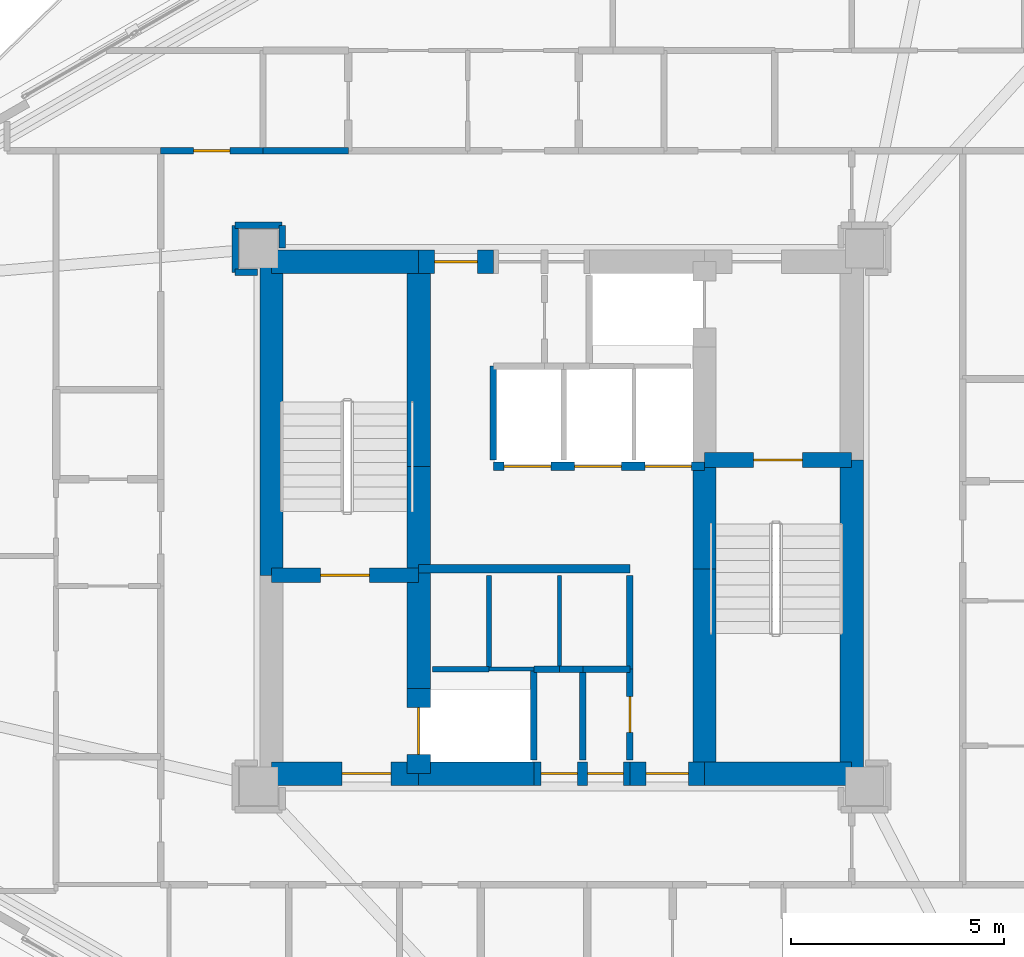
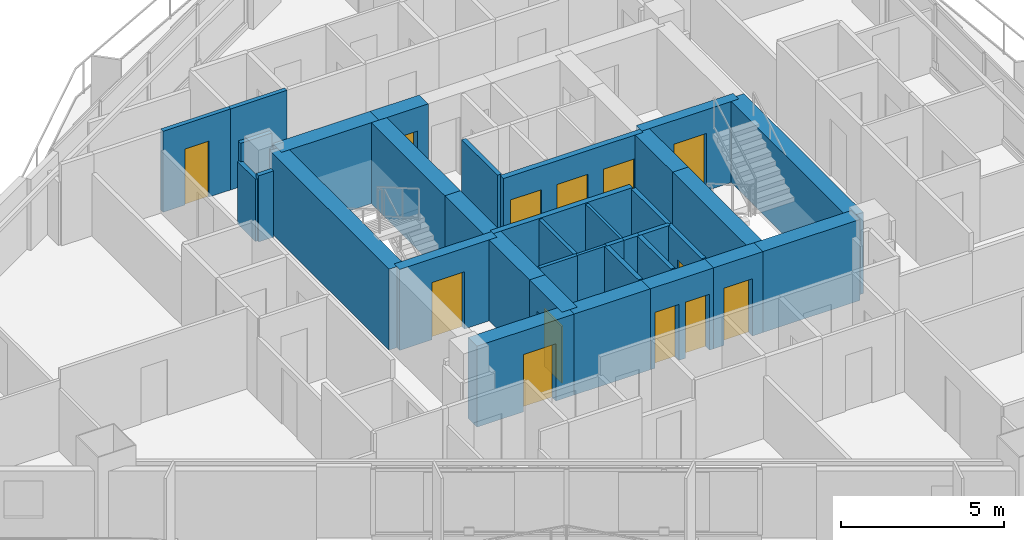
# One storey, part 14 of 19: 37 walls, 13 doors, 13 openings.
"""IFC4 building model written with IfcOpenShell, lengths in metres."""

import ifcopenshell
import ifcopenshell.guid

model = None  # the IFC model being written
_history = None  # IfcOwnerHistory: only IFC2X3 demands one
_inside = {}  # id of a spatial element -> (the spatial element, [elements in it])
_under = {}  # id of a project, library or spatial element -> (it, [spatial elements below it])
_declared = {}  # id of a project -> (the project, [libraries it declares])
_typed = {}  # id of a type object -> (the type object, [elements of that type])
_made_of = {}  # id of a material, layer set ... -> (it, [elements and type objects made of it])


def new_model(schema):
    """Start an empty IFC model of exactly this schema.

    Asked for "IFC4X3", IfcOpenShell would pick the latest addendum, in which some entities
    have other attributes; the version numbers below select the first issue.
    IFC2X3 requires an IfcOwnerHistory on every rooted entity: one is made here for all.
    """
    global model, _history
    if schema == "IFC4X3":
        model = ifcopenshell.file(schema_version=(4, 3, 0, 0))
    else:
        model = ifcopenshell.file(schema=schema)
    _inside.clear()
    _under.clear()
    _declared.clear()
    _typed.clear()
    _made_of.clear()
    _history = None
    if model.schema == "IFC2X3":
        org = make("IfcOrganization", Name="unknown")
        user = make(
            "IfcPersonAndOrganization",
            ThePerson=make("IfcPerson", FamilyName="unknown"),
            TheOrganization=org,
        )
        app = make(
            "IfcApplication",
            ApplicationDeveloper=org,
            Version="unknown",
            ApplicationFullName="unknown",
            ApplicationIdentifier="unknown",
        )
        _history = make(
            "IfcOwnerHistory",
            OwningUser=user,
            OwningApplication=app,
            ChangeAction="ADDED",
            CreationDate=0,
        )
    return model


def make(cls, **values):
    """One entity of the class cls with the attributes given. An attribute that is None is left unset."""
    return model.create_entity(
        cls, **{name: value for name, value in values.items() if value is not None}
    )


def rooted(cls, **values):
    """An entity with a GlobalId (a new one), such as an element, a storey or a relation."""
    return make(cls, GlobalId=ifcopenshell.guid.new(), OwnerHistory=_history, **values)


def si_unit(unit_type, name, prefix=None):
    """IfcSIUnit, for example si_unit("LENGTHUNIT", "METRE", prefix="MILLI")."""
    return make("IfcSIUnit", UnitType=unit_type, Prefix=prefix, Name=name)


def assignment(units):
    """IfcUnitAssignment: the units of a project."""
    return None if units is None else make("IfcUnitAssignment", Units=units)


def point(xyz):
    """IfcCartesianPoint."""
    return None if xyz is None else make("IfcCartesianPoint", Coordinates=xyz)


def direction(xyz):
    """IfcDirection."""
    return None if xyz is None else make("IfcDirection", DirectionRatios=xyz)


def frame(location, z_axis=None, x_axis=None):
    """IfcAxis2Placement3D, a coordinate frame: its origin and axes. An axis left out is left unset."""
    return make(
        "IfcAxis2Placement3D",
        Location=point(location),
        Axis=direction(z_axis),
        RefDirection=direction(x_axis),
    )


def frame_2d(location, x_axis=None):
    """IfcAxis2Placement2D, a coordinate frame in the plane: its origin and x axis."""
    return make(
        "IfcAxis2Placement2D", Location=point(location), RefDirection=direction(x_axis)
    )


def origin():
    """The frame at (0, 0, 0) with its axes left unset."""
    return frame((0.0, 0.0, 0.0))


def place(relative_to, where):
    """IfcLocalPlacement: puts the frame where relative to a parent placement (None: the world)."""
    return make(
        "IfcLocalPlacement", PlacementRelTo=relative_to, RelativePlacement=where
    )


def context(
    kind, dimensions, precision=None, world=None, true_north=None, identifier=None
):
    """IfcGeometricRepresentationContext, for example the 3D "Model" context."""
    return make(
        "IfcGeometricRepresentationContext",
        ContextIdentifier=identifier,
        ContextType=kind,
        CoordinateSpaceDimension=dimensions,
        Precision=precision,
        WorldCoordinateSystem=world,
        TrueNorth=true_north,
    )


def subcontext(parent, identifier, kind, view, scale=None):
    """IfcGeometricRepresentationSubContext, for example "Body" below "Model"."""
    return make(
        "IfcGeometricRepresentationSubContext",
        ContextIdentifier=identifier,
        ContextType=kind,
        ParentContext=parent,
        TargetScale=scale,
        TargetView=view,
    )


def project(units=None, contexts=None):
    """IfcProject with its units and contexts."""
    return rooted(
        "IfcProject",
        Name="project",
        RepresentationContexts=contexts,
        UnitsInContext=assignment(units),
    )


def spatial(cls, under=None, at=None, **own):
    """A site, building, storey or space (cls), placed at a placement, below another one or the project."""
    s = rooted(cls, ObjectPlacement=at, **own)
    if under is not None:
        _under.setdefault(under.id(), (under, []))[1].append(s)
    return s


def profile(cls, at=None, kind="AREA", **sizes):
    """A parametric profile (cls). Its sizes go by their IFC names, for example OverallWidth=200.0."""
    return make(cls, ProfileType=kind, Position=at, **sizes)


def rectangle(**sizes):
    """IfcRectangleProfileDef."""
    return profile("IfcRectangleProfileDef", **sizes)


def extrude(swept, where, along, depth):
    """IfcExtrudedAreaSolid: the profile swept, set in the frame where, extruded along a direction by depth."""
    return make(
        "IfcExtrudedAreaSolid",
        SweptArea=swept,
        Position=where,
        ExtrudedDirection=direction(along),
        Depth=depth,
    )


def shape(context_of_items, identifier, shape_type, items):
    """IfcShapeRepresentation: the items that make up one representation, for example the "Body"."""
    return make(
        "IfcShapeRepresentation",
        ContextOfItems=context_of_items,
        RepresentationIdentifier=identifier,
        RepresentationType=shape_type,
        Items=items,
    )


def material(Name=None, Category=None):
    """IfcMaterial."""
    return make("IfcMaterial", Name=Name, Category=Category)


def layer(
    of_material, thickness, ventilated=None, Name=None, Category=None, Priority=None
):
    """IfcMaterialLayer: one layer of a wall or slab, of a material (None: an air gap)."""
    return make(
        "IfcMaterialLayer",
        Material=of_material,
        LayerThickness=thickness,
        IsVentilated=ventilated,
        Name=Name,
        Category=Category,
        Priority=Priority,
    )


def layer_set(layers, Name=None):
    """IfcMaterialLayerSet."""
    return make("IfcMaterialLayerSet", MaterialLayers=layers, LayerSetName=Name)


def made_of(thing, what):
    """Note that an element or type object is made of a material, layer set ...; save() writes the relation."""
    if what is not None:
        _made_of.setdefault(what.id(), (what, []))[1].append(thing)
    return thing


def type_object(cls, material=None, **own):
    """A type object (cls), such as IfcWallType, which elements share."""
    return made_of(rooted(cls, **own), material)


def element(
    cls,
    number,
    at=None,
    inside=None,
    cuts=None,
    type_object=None,
    material=None,
    context=None,
    identifier="Body",
    shape_type=None,
    held_by="IfcProductDefinitionShape",
    body=None,
    shapes=None,
    **own,
):
    """One element of the class cls, such as IfcWall. Its Tag is "e" and its number.

    at: its placement. inside: the storey or other place that contains it. cuts: it is an
    opening in that element (IfcRelVoidsElement). A single representation is given by context,
    identifier, shape_type and body (its items); several are given by shapes. held_by: the class
    of the entity that holds the representations. save() writes the other relations.
    """
    e = rooted(cls, Tag="e%d" % number, ObjectPlacement=at, **own)
    if body is not None:
        shapes = [shape(context, identifier, shape_type, body)]
    if shapes is not None:
        e.Representation = make(held_by, Representations=shapes)
    if inside is not None:
        _inside.setdefault(inside.id(), (inside, []))[1].append(e)
    if cuts is not None:
        rooted(
            "IfcRelVoidsElement", RelatingBuildingElement=cuts, RelatedOpeningElement=e
        )
    if type_object is not None:
        _typed.setdefault(type_object.id(), (type_object, []))[1].append(e)
    return made_of(e, material)


def fill(opening, filler):
    """IfcRelFillsElement: the door or window that sits in an opening."""
    return rooted(
        "IfcRelFillsElement",
        RelatingOpeningElement=opening,
        RelatedBuildingElement=filler,
    )


def aggregate(whole, parts):
    """IfcRelAggregates: a whole, such as a stair, and the parts it consists of."""
    return rooted("IfcRelAggregates", RelatingObject=whole, RelatedObjects=parts)


def save(model, path):
    """Write the relations noted so far, then the file.

    IfcRelAggregates (storeys below a building ...), IfcRelContainedInSpatialStructure (elements
    in a storey), IfcRelDefinesByType, IfcRelAssociatesMaterial and IfcRelDeclares: one each for
    every whole, place, type object, material and project.
    """
    for whole, parts in _under.values():
        aggregate(whole, parts)
    for where, things in _inside.values():
        rooted(
            "IfcRelContainedInSpatialStructure",
            RelatedElements=things,
            RelatingStructure=where,
        )
    for kind, things in _typed.values():
        rooted("IfcRelDefinesByType", RelatedObjects=things, RelatingType=kind)
    for what, things in _made_of.values():
        rooted("IfcRelAssociatesMaterial", RelatedObjects=things, RelatingMaterial=what)
    for by, libraries in _declared.values():
        rooted("IfcRelDeclares", RelatingContext=by, RelatedDefinitions=libraries)
    model.write(path)


model = new_model("IFC4")

# Units and contexts
model_context = context("Model", 3, precision=1e-05, world=origin(), true_north=direction((0.0, 1.0)))
body_context = subcontext(model_context, "Body", "Model", "MODEL_VIEW")
ifc_project = project(units=[si_unit("LENGTHUNIT", "METRE"), si_unit("AREAUNIT", "SQUARE_METRE"), si_unit("VOLUMEUNIT", "CUBIC_METRE"), si_unit("PLANEANGLEUNIT", "RADIAN"), si_unit("MASSUNIT", "GRAM", prefix="KILO")], contexts=[model_context])

# Site, building, storey
site_placement = place(None, origin())
site = spatial("IfcSite", under=ifc_project, at=site_placement, CompositionType="ELEMENT")
building_placement = place(site_placement, origin())
building = spatial("IfcBuilding", under=site, at=building_placement, Name="Mersakhor Tower and Convention Hall", CompositionType="ELEMENT")
storey_placement = place(building_placement, frame((0.0, 0.0, 29.10009765625)))
storey = spatial("IfcBuildingStorey", under=building, at=storey_placement, Name="L07", CompositionType="ELEMENT", Elevation=29.10009765625)

# Walls
ifc_material_1 = material(Name="Lightweight gypsum partition", Category="other")
ifc_layer_1 = layer(ifc_material_1, 0.10009765625)
ifc_layer_set_1 = layer_set([ifc_layer_1], Name="Lightweight gypsum partition")
wall_type_1 = type_object("IfcWallType", Name="WL-PRT-100", PredefinedType="PARTITIONING", material=ifc_layer_set_1)
wall_1_placement = place(storey_placement, frame((27.300048828125, 23.199951171875, 0.0), z_axis=(0.0, 0.0, 1.0), x_axis=(1.0, 0.0, 0.0)))
element("IfcWall", 1, at=wall_1_placement, inside=storey, type_object=wall_type_1, Name="L07 Interior Partition Wall P-002", PredefinedType="PARTITIONING", context=body_context, shape_type="SweptSolid", body=[
    extrude(rectangle(XDim=1.050048828125, YDim=0.10009765625, at=frame_2d((0.52490234375, 0.0))), origin(), (0.0, 0.0, 1.0), 3.039794921875),
])
wall_2_placement = place(storey_placement, frame((28.949951171875, 25.39990234375, 0.0), z_axis=(0.0, 0.0, 1.0), x_axis=(0.0, -1.0, 0.0)))
element("IfcWall", 2, at=wall_2_placement, inside=storey, type_object=wall_type_1, Name="L07 Interior Partition Wall P-008", PredefinedType="PARTITIONING", context=body_context, shape_type="SweptSolid", body=[
    extrude(rectangle(XDim=2.199951171875, YDim=0.10009765625, at=frame_2d((1.10009765625, 0.0))), origin(), (0.0, 0.0, 1.0), 3.039794921875),
])
ifc_material_2 = material(Name="Gypsum board acoustic partition", Category="other")
ifc_layer_2 = layer(ifc_material_2, 0.125)
ifc_layer_set_2 = layer_set([ifc_layer_2], Name="Gypsum board acoustic partition")
wall_type_2 = type_object("IfcWallType", Name="WL-PRT-125", PredefinedType="PARTITIONING", material=ifc_layer_set_2)
wall_3_placement = place(storey_placement, frame((25.97509765625, 23.199951171875, 0.0), z_axis=(0.0, 0.0, 1.0), x_axis=(1.0, 0.0, 0.0)))
element("IfcWall", 3, at=wall_3_placement, inside=storey, type_object=wall_type_2, Name="L07 Interior Partition Wall P-001", PredefinedType="PARTITIONING", context=body_context, shape_type="SweptSolid", body=[
    extrude(rectangle(XDim=1.324951171875, YDim=0.125, at=frame_2d((0.66259765625, 0.0))), origin(), (0.0, 0.0, 1.0), 3.039794921875),
])
wall_4_placement = place(storey_placement, frame((27.300048828125, 25.39990234375, 0.0), z_axis=(0.0, 0.0, 1.0), x_axis=(0.0, -1.0, 0.0)))
element("IfcWall", 4, at=wall_4_placement, inside=storey, type_object=wall_type_2, Name="L07 Interior Partition Wall P-007", PredefinedType="PARTITIONING", context=body_context, shape_type="SweptSolid", body=[
    extrude(rectangle(XDim=2.199951171875, YDim=0.125, at=frame_2d((1.10009765625, 0.0))), origin(), (0.0, 0.0, 1.0), 3.039794921875),
])
ifc_material_3 = material(Name="Fire-rated gypsum board stud partition", Category="other")
ifc_layer_3 = layer(ifc_material_3, 0.14990234375)
ifc_layer_set_3 = layer_set([ifc_layer_3], Name="Fire-rated gypsum board stud partition")
wall_type_3 = type_object("IfcWallType", Name="WL-PRT-150", PredefinedType="PARTITIONING", material=ifc_layer_set_3)
wall_5_placement = place(storey_placement, frame((28.35009765625, 23.199951171875, 0.0), z_axis=(0.0, 0.0, 1.0), x_axis=(0.0, -1.0, 0.0)))
element("IfcWall", 5, at=wall_5_placement, inside=storey, type_object=wall_type_3, Name="L07 Interior Partition Wall P-003", PredefinedType="PARTITIONING", context=body_context, shape_type="SweptSolid", body=[
    extrude(rectangle(XDim=2.125, YDim=0.14990234375, at=frame_2d((1.0625, 0.0))), origin(), (0.0, 0.0, 1.0), 3.039794921875),
])
wall_6_placement = place(storey_placement, frame((28.949951171875, 23.199951171875, 0.0), z_axis=(0.0, 0.0, 1.0), x_axis=(-1.0, 0.0, 0.0)))
element("IfcWall", 6, at=wall_6_placement, inside=storey, type_object=wall_type_3, Name="L07 Interior Partition Wall P-009", PredefinedType="PARTITIONING", context=body_context, shape_type="SweptSolid", body=[
    extrude(rectangle(XDim=0.599853515625, YDim=0.14990234375, at=frame_2d((0.2998046875, 0.0))), origin(), (0.0, 0.0, 1.0), 3.039794921875),
])
wall_7_placement = place(storey_placement, frame((30.60009765625, 25.39990234375, 0.0), z_axis=(0.0, 0.0, 1.0), x_axis=(0.0, -1.0, 0.0)))
element("IfcWall", 7, at=wall_7_placement, inside=storey, type_object=wall_type_3, Name="L07 Interior Partition Wall P-010", PredefinedType="PARTITIONING", context=body_context, shape_type="SweptSolid", body=[
    extrude(rectangle(XDim=2.199951171875, YDim=0.14990234375, at=frame_2d((1.10009765625, 0.0))), origin(), (0.0, 0.0, 1.0), 3.039794921875),
])
wall_8_placement = place(storey_placement, frame((30.60009765625, 23.199951171875, 0.0), z_axis=(0.0, 0.0, 1.0), x_axis=(-1.0, 0.0, 0.0)))
element("IfcWall", 8, at=wall_8_placement, inside=storey, type_object=wall_type_3, Name="L07 Interior Partition Wall P-011", PredefinedType="PARTITIONING", context=body_context, shape_type="SweptSolid", body=[
    extrude(rectangle(XDim=1.10009765625, YDim=0.14990234375, at=frame_2d((0.550048828125, 0.0))), origin(), (0.0, 0.0, 1.0), 3.039794921875),
])
wall_9_placement = place(storey_placement, frame((29.5, 23.199951171875, 0.0), z_axis=(0.0, 0.0, 1.0), x_axis=(-1.0, 0.0, 0.0)))
element("IfcWall", 9, at=wall_9_placement, inside=storey, type_object=wall_type_3, Name="L07 Interior Partition Wall P-012", PredefinedType="PARTITIONING", context=body_context, shape_type="SweptSolid", body=[
    extrude(rectangle(XDim=0.550048828125, YDim=0.14990234375, at=frame_2d((0.27490234375, 0.0))), origin(), (0.0, 0.0, 1.0), 3.039794921875),
])
wall_10_placement = place(storey_placement, frame((27.39990234375, 28.10009765625, 0.0), z_axis=(0.0, 0.0, 1.0), x_axis=(0.0, 1.0, 0.0)))
element("IfcWall", 10, at=wall_10_placement, inside=storey, type_object=wall_type_3, Name="L07 Interior Partition Wall P-016", PredefinedType="PARTITIONING", context=body_context, shape_type="SweptSolid", body=[
    extrude(rectangle(XDim=2.199951171875, YDim=0.14990234375, at=frame_2d((1.10009765625, 0.0))), origin(), (0.0, 0.0, 1.0), 3.039794921875),
])

# Wall, opening, door
wall_11_placement = place(storey_placement, frame((30.60009765625, 21.074951171875, 0.0), z_axis=(0.0, 0.0, 1.0), x_axis=(0.0, 1.0, 0.0)))
wall_11 = element("IfcWall", 11, at=wall_11_placement, inside=storey, type_object=wall_type_3, Name="L07 Interior Partition Wall P-019", PredefinedType="PARTITIONING", context=body_context, shape_type="SweptSolid", body=[
    extrude(rectangle(XDim=2.125, YDim=0.14990234375, at=frame_2d((1.0625, 0.0))), origin(), (0.0, 0.0, 1.0), 3.039794921875),
])
opening_1_placement = place(wall_11_placement, frame((0.637451171875, 0.0, 0.0)))
opening_1 = element("IfcOpeningElement", 12, at=opening_1_placement, cuts=wall_11, Name="Opening SVD-01", PredefinedType="OPENING", context=body_context, shape_type="SweptSolid", body=[
    extrude(rectangle(XDim=0.85009765625, YDim=2.10009765625, at=frame_2d((0.425048828125, 1.050048828125))), frame((0.0, 0.0849609375, 0.0), z_axis=(0.0, -1.0, 0.0), x_axis=(1.0, 0.0, 0.0)), (0.0, 0.0, 1.0), 0.169921875),
])
ifc_material_4 = material(Name="Fire-rated hardwood leaf and painted steel frame", Category="steel")
door_type_1 = type_object("IfcDoorType", Name="DR-INT-SVC-085x210", OperationType="NOTDEFINED", PredefinedType="DOOR", material=ifc_material_4)
door_1_placement = place(opening_1_placement, origin())
door_1 = element("IfcDoor", 13, at=door_1_placement, inside=storey, type_object=door_type_1, Name="L07 Central Passenger Lift Lobby to Refuse and Recycling Room Door", OperationType="SINGLE_SWING_RIGHT", OverallHeight=2.10009765625, OverallWidth=0.85009765625, PredefinedType="DOOR", context=body_context, shape_type="SweptSolid", body=[
    extrude(rectangle(XDim=0.85009765625, YDim=2.10009765625, at=frame_2d((0.425048828125, 1.050048828125))), frame((0.0, 0.02490234375, 0.0), z_axis=(0.0, -1.0, 0.0), x_axis=(1.0, 0.0, 0.0)), (0.0, 0.0, 1.0), 0.050048828125),
])
fill(opening_1, door_1)

wall_12_placement = place(storey_placement, frame((19.60009765625, 35.35009765625, 0.0), z_axis=(0.0, 0.0, 1.0), x_axis=(1.0, 0.0, 0.0)))
wall_12 = element("IfcWall", 14, at=wall_12_placement, inside=storey, type_object=wall_type_3, Name="L07 Interior Partition Wall P-039", PredefinedType="PARTITIONING", context=body_context, shape_type="SweptSolid", body=[
    extrude(rectangle(XDim=2.39990234375, YDim=0.14990234375, at=frame_2d((1.199951171875, 0.0))), origin(), (0.0, 0.0, 1.0), 3.039794921875),
])
opening_2_placement = place(wall_12_placement, frame((0.77490234375, 0.0, 0.0)))
opening_2 = element("IfcOpeningElement", 15, at=opening_2_placement, cuts=wall_12, Name="Opening SVD-01", PredefinedType="OPENING", context=body_context, shape_type="SweptSolid", body=[
    extrude(rectangle(XDim=0.85009765625, YDim=2.10009765625, at=frame_2d((0.425048828125, 1.050048828125))), frame((0.0, 0.0849609375, 0.0), z_axis=(0.0, -1.0, 0.0), x_axis=(1.0, 0.0, 0.0)), (0.0, 0.0, 1.0), 0.169921875),
])
door_2_placement = place(opening_2_placement, origin())
door_2 = element("IfcDoor", 16, at=door_2_placement, inside=storey, type_object=door_type_1, Name="L07 Residential Ring Corridor to L07 North-West Household Store Room Door", OperationType="SINGLE_SWING_RIGHT", OverallHeight=2.10009765625, OverallWidth=0.85009765625, PredefinedType="DOOR", context=body_context, shape_type="SweptSolid", body=[
    extrude(rectangle(XDim=0.85009765625, YDim=2.10009765625, at=frame_2d((0.425048828125, 1.050048828125))), frame((0.0, 0.02490234375, 0.0), z_axis=(0.0, -1.0, 0.0), x_axis=(1.0, 0.0, 0.0)), (0.0, 0.0, 1.0), 0.050048828125),
])
fill(opening_2, door_2)

# Walls
wall_13_placement = place(storey_placement, frame((22.0, 35.35009765625, 0.0), z_axis=(0.0, 0.0, 1.0), x_axis=(1.0, 0.0, 0.0)))
element("IfcWall", 17, at=wall_13_placement, inside=storey, type_object=wall_type_3, Name="L07 Interior Partition Wall P-040", PredefinedType="PARTITIONING", context=body_context, shape_type="SweptSolid", body=[
    extrude(rectangle(XDim=2.0, YDim=0.14990234375, at=frame_2d((1.0, 0.0))), origin(), (0.0, 0.0, 1.0), 3.039794921875),
])
wall_14_placement = place(storey_placement, frame((22.449951171875, 33.074951171875, 0.0), z_axis=(0.0, 0.0, 1.0), x_axis=(0.0, 1.0, 0.0)))
element("IfcWall", 18, at=wall_14_placement, inside=storey, type_object=wall_type_3, Name="L07 Interior Partition Wall P-049", PredefinedType="PARTITIONING", context=body_context, shape_type="SweptSolid", body=[
    extrude(rectangle(XDim=0.525146484375, YDim=0.14990234375, at=frame_2d((0.2626953125, 0.0))), origin(), (0.0, 0.0, 1.0), 2.48828125),
])
wall_15_placement = place(storey_placement, frame((22.449951171875, 33.60009765625, 0.0), z_axis=(0.0, 0.0, 1.0), x_axis=(-1.0, 0.0, 0.0)))
element("IfcWall", 19, at=wall_15_placement, inside=storey, type_object=wall_type_3, Name="L07 Interior Partition Wall P-050", PredefinedType="PARTITIONING", context=body_context, shape_type="SweptSolid", body=[
    extrude(rectangle(XDim=1.099853515625, YDim=0.14990234375, at=frame_2d((0.5498046875, 0.0))), origin(), (0.0, 0.0, 1.0), 3.039794921875),
])
wall_16_placement = place(storey_placement, frame((21.35009765625, 33.60009765625, 0.0), z_axis=(0.0, 0.0, 1.0), x_axis=(0.0, -1.0, 0.0)))
element("IfcWall", 20, at=wall_16_placement, inside=storey, type_object=wall_type_3, Name="L07 Interior Partition Wall P-051", PredefinedType="PARTITIONING", context=body_context, shape_type="SweptSolid", body=[
    extrude(rectangle(XDim=1.10009765625, YDim=0.14990234375, at=frame_2d((0.550048828125, 0.0))), origin(), (0.0, 0.0, 1.0), 2.33740234375),
])
wall_17_placement = place(storey_placement, frame((21.35009765625, 32.5, 0.0), z_axis=(0.0, 0.0, 1.0), x_axis=(1.0, 0.0, 0.0)))
element("IfcWall", 21, at=wall_17_placement, inside=storey, type_object=wall_type_3, Name="L07 Interior Partition Wall P-052", PredefinedType="PARTITIONING", context=body_context, shape_type="SweptSolid", body=[
    extrude(rectangle(XDim=0.52490234375, YDim=0.14990234375, at=frame_2d((0.262451171875, 0.0))), origin(), (0.0, 0.0, 1.0), 2.48828125),
])
wall_18_placement = place(storey_placement, frame((29.5, 23.199951171875, 0.0), z_axis=(0.0, 0.0, 1.0), x_axis=(0.0, -1.0, 0.0)))
element("IfcWall", 22, at=wall_18_placement, inside=storey, type_object=wall_type_3, Name="L07 Interior Partition Wall P-105", PredefinedType="PARTITIONING", context=body_context, shape_type="SweptSolid", body=[
    extrude(rectangle(XDim=2.125, YDim=0.14990234375, at=frame_2d((1.0625, 0.0))), origin(), (0.0, 0.0, 1.0), 3.039794921875),
])
ifc_material_5 = material(Name="Acoustic concrete blockwork and gypsum board", Category="masonry")
ifc_layer_4 = layer(ifc_material_5, 0.199951171875)
ifc_layer_set_4 = layer_set([ifc_layer_4], Name="Acoustic concrete blockwork and gypsum board")
wall_type_4 = type_object("IfcWallType", Name="WL-PRT-200", PredefinedType="PARTITIONING", material=ifc_layer_set_4)
wall_19_placement = place(storey_placement, frame((25.64990234375, 25.550048828125, 0.0), z_axis=(0.0, 0.0, 1.0), x_axis=(1.0, 0.0, 0.0)))
element("IfcWall", 23, at=wall_19_placement, inside=storey, type_object=wall_type_4, Name="L07 High-Rise Lift Bank Front Wall", PredefinedType="PARTITIONING", context=body_context, shape_type="SweptSolid", body=[
    extrude(rectangle(XDim=4.9501953125, YDim=0.199951171875, at=frame_2d((2.47509765625, 0.0))), origin(), (0.0, 0.0, 1.0), 3.039794921875),
])

# Wall, openings, doors
wall_20_placement = place(storey_placement, frame((27.39990234375, 27.949951171875, 0.0), z_axis=(0.0, 0.0, 1.0), x_axis=(1.0, 0.0, 0.0)))
wall_20 = element("IfcWall", 24, at=wall_20_placement, inside=storey, type_object=wall_type_4, Name="L07 Low-Rise Lift Bank Front Wall", PredefinedType="PARTITIONING", context=body_context, shape_type="SweptSolid", body=[
    extrude(rectangle(XDim=4.9501953125, YDim=0.199951171875, at=frame_2d((2.47509765625, 0.0))), origin(), (0.0, 0.0, 1.0), 3.039794921875),
])
opening_3_placement = place(wall_20_placement, frame((0.25, 0.0, 0.0)))
opening_3 = element("IfcOpeningElement", 25, at=opening_3_placement, cuts=wall_20, Name="Opening LD-P1", PredefinedType="OPENING", context=body_context, shape_type="SweptSolid", body=[
    extrude(rectangle(XDim=1.10009765625, YDim=2.14990234375, at=frame_2d((0.550048828125, 1.074951171875))), frame((0.0, 0.10986328125, 0.0), z_axis=(0.0, -1.0, 0.0), x_axis=(1.0, 0.0, 0.0)), (0.0, 0.0, 1.0), 0.219970703125),
])
opening_4_placement = place(wall_20_placement, frame((1.89990234375, 0.0, 0.0)))
opening_4 = element("IfcOpeningElement", 26, at=opening_4_placement, cuts=wall_20, Name="Opening LD-P2", PredefinedType="OPENING", context=body_context, shape_type="SweptSolid", body=[
    extrude(rectangle(XDim=1.10009765625, YDim=2.14990234375, at=frame_2d((0.550048828125, 1.074951171875))), frame((0.0, 0.10986328125, 0.0), z_axis=(0.0, -1.0, 0.0), x_axis=(1.0, 0.0, 0.0)), (0.0, 0.0, 1.0), 0.219970703125),
])
opening_5_placement = place(wall_20_placement, frame((3.550048828125, 0.0, 0.0)))
opening_5 = element("IfcOpeningElement", 27, at=opening_5_placement, cuts=wall_20, Name="Opening LD-P3", PredefinedType="OPENING", context=body_context, shape_type="SweptSolid", body=[
    extrude(rectangle(XDim=1.10009765625, YDim=2.14990234375, at=frame_2d((0.550048828125, 1.074951171875))), frame((0.0, 0.10986328125, 0.0), z_axis=(0.0, -1.0, 0.0), x_axis=(1.0, 0.0, 0.0)), (0.0, 0.0, 1.0), 0.219970703125),
])
ifc_material_6 = material(Name="Fire-rated brushed stainless steel sliding landing door", Category="steel")
door_type_2 = type_object("IfcDoorType", Name="DR-LIFT-SLD-110x215", OperationType="NOTDEFINED", PredefinedType="DOOR", material=ifc_material_6)
door_3_placement = place(opening_3_placement, origin())
door_3 = element("IfcDoor", 28, at=door_3_placement, inside=storey, type_object=door_type_2, Name="L07 Lift Landing Door LD-P1", OperationType="SLIDING_TO_LEFT", OverallHeight=2.14990234375, OverallWidth=1.10009765625, PredefinedType="DOOR", context=body_context, shape_type="SweptSolid", body=[
    extrude(rectangle(XDim=1.10009765625, YDim=2.14990234375, at=frame_2d((0.550048828125, 1.074951171875))), frame((0.0, 0.02490234375, 0.0), z_axis=(0.0, -1.0, 0.0), x_axis=(1.0, 0.0, 0.0)), (0.0, 0.0, 1.0), 0.050048828125),
])
fill(opening_3, door_3)
door_4_placement = place(opening_4_placement, origin())
door_4 = element("IfcDoor", 29, at=door_4_placement, inside=storey, type_object=door_type_2, Name="L07 Lift Landing Door LD-P2", OperationType="SLIDING_TO_LEFT", OverallHeight=2.14990234375, OverallWidth=1.10009765625, PredefinedType="DOOR", context=body_context, shape_type="SweptSolid", body=[
    extrude(rectangle(XDim=1.10009765625, YDim=2.14990234375, at=frame_2d((0.550048828125, 1.074951171875))), frame((0.0, 0.02490234375, 0.0), z_axis=(0.0, -1.0, 0.0), x_axis=(1.0, 0.0, 0.0)), (0.0, 0.0, 1.0), 0.050048828125),
])
fill(opening_4, door_4)
door_5_placement = place(opening_5_placement, origin())
door_5 = element("IfcDoor", 30, at=door_5_placement, inside=storey, type_object=door_type_2, Name="L07 Lift Landing Door LD-P3", OperationType="SLIDING_TO_LEFT", OverallHeight=2.14990234375, OverallWidth=1.10009765625, PredefinedType="DOOR", context=body_context, shape_type="SweptSolid", body=[
    extrude(rectangle(XDim=1.10009765625, YDim=2.14990234375, at=frame_2d((0.550048828125, 1.074951171875))), frame((0.0, 0.02490234375, 0.0), z_axis=(0.0, -1.0, 0.0), x_axis=(1.0, 0.0, 0.0)), (0.0, 0.0, 1.0), 0.050048828125),
])
fill(opening_5, door_5)

# Wall, opening, door
ifc_material_7 = material(Name="Concrete C50/60", Category="concrete")
ifc_layer_5 = layer(ifc_material_7, 0.35009765625)
ifc_layer_set_5 = layer_set([ifc_layer_5], Name="Concrete C50/60")
wall_type_5 = type_object("IfcWallType", Name="WL-SHR-350", PredefinedType="SHEAR", material=ifc_layer_set_5)
wall_21_placement = place(storey_placement, frame((22.199951171875, 25.39990234375, 0.0), z_axis=(0.0, 0.0, 1.0), x_axis=(1.0, 0.0, 0.0)))
wall_21 = element("IfcWall", 31, at=wall_21_placement, inside=storey, type_object=wall_type_5, Name="L07 Core Wall CS-ST1-S", PredefinedType="SHEAR", context=body_context, shape_type="SweptSolid", body=[
    extrude(rectangle(XDim=3.449951171875, YDim=0.35009765625, at=frame_2d((1.72509765625, 0.0))), origin(), (0.0, 0.0, 1.0), 3.039794921875),
])
opening_6_placement = place(wall_21_placement, frame((1.14990234375, 0.0, 0.0)))
opening_6 = element("IfcOpeningElement", 32, at=opening_6_placement, cuts=wall_21, Name="Opening SD-01", PredefinedType="OPENING", context=body_context, shape_type="SweptSolid", body=[
    extrude(rectangle(XDim=1.14990234375, YDim=2.14990234375, at=frame_2d((0.574951171875, 1.074951171875))), frame((0.0, 0.18505859375, 0.0), z_axis=(0.0, -1.0, 0.0), x_axis=(1.0, 0.0, 0.0)), (0.0, 0.0, 1.0), 0.3701171875),
])
ifc_material_8 = material(Name="Fire-rated hardwood leaf and painted steel frame", Category="steel")
door_type_3 = type_object("IfcDoorType", Name="DR-INT-STAIR-115x215", OperationType="NOTDEFINED", PredefinedType="DOOR", material=ifc_material_8)
door_6_placement = place(opening_6_placement, origin())
door_6 = element("IfcDoor", 33, at=door_6_placement, inside=storey, type_object=door_type_3, Name="L07 Exit Stair ST-1 Enclosure Door", OperationType="SINGLE_SWING_LEFT", OverallHeight=2.14990234375, OverallWidth=1.14990234375, PredefinedType="DOOR", context=body_context, shape_type="SweptSolid", body=[
    extrude(rectangle(XDim=1.14990234375, YDim=2.14990234375, at=frame_2d((0.574951171875, 1.074951171875))), frame((0.0, 0.02490234375, 0.0), z_axis=(0.0, -1.0, 0.0), x_axis=(1.0, 0.0, 0.0)), (0.0, 0.0, 1.0), 0.050048828125),
])
fill(opening_6, door_6)

wall_22_placement = place(storey_placement, frame((32.35009765625, 28.10009765625, 0.0), z_axis=(0.0, 0.0, 1.0), x_axis=(1.0, 0.0, 0.0)))
wall_22 = element("IfcWall", 34, at=wall_22_placement, inside=storey, type_object=wall_type_5, Name="L07 Core Wall CS-ST2-N", PredefinedType="SHEAR", context=body_context, shape_type="SweptSolid", body=[
    extrude(rectangle(XDim=3.449951171875, YDim=0.35009765625, at=frame_2d((1.72509765625, 0.0))), origin(), (0.0, 0.0, 1.0), 3.039794921875),
])
opening_7_placement = place(wall_22_placement, frame((1.14990234375, 0.0, 0.0)))
opening_7 = element("IfcOpeningElement", 35, at=opening_7_placement, cuts=wall_22, Name="Opening SD-01", PredefinedType="OPENING", context=body_context, shape_type="SweptSolid", body=[
    extrude(rectangle(XDim=1.14990234375, YDim=2.14990234375, at=frame_2d((0.574951171875, 1.074951171875))), frame((0.0, 0.18505859375, 0.0), z_axis=(0.0, -1.0, 0.0), x_axis=(1.0, 0.0, 0.0)), (0.0, 0.0, 1.0), 0.3701171875),
])
door_7_placement = place(opening_7_placement, origin())
door_7 = element("IfcDoor", 36, at=door_7_placement, inside=storey, type_object=door_type_3, Name="L07 Exit Stair ST-2 Enclosure Door", OperationType="SINGLE_SWING_RIGHT", OverallHeight=2.14990234375, OverallWidth=1.14990234375, PredefinedType="DOOR", context=body_context, shape_type="SweptSolid", body=[
    extrude(rectangle(XDim=1.14990234375, YDim=2.14990234375, at=frame_2d((0.574951171875, 1.074951171875))), frame((0.0, 0.02490234375, 0.0), z_axis=(0.0, -1.0, 0.0), x_axis=(1.0, 0.0, 0.0)), (0.0, 0.0, 1.0), 0.050048828125),
])
fill(opening_7, door_7)

# Walls
ifc_material_9 = material(Name="Concrete C70/85", Category="concrete")
ifc_layer_6 = layer(ifc_material_9, 0.550048828125)
ifc_layer_set_6 = layer_set([ifc_layer_6], Name="Concrete C70/85")
wall_type_6 = type_object("IfcWallType", Name="WL-SHR-550", PredefinedType="SHEAR", material=ifc_layer_set_6)
wall_23_placement = place(storey_placement, frame((22.199951171875, 25.39990234375, 0.0), z_axis=(0.0, 0.0, 1.0), x_axis=(0.0, 1.0, 0.0)))
element("IfcWall", 37, at=wall_23_placement, inside=storey, type_object=wall_type_6, Name="L07 Core Wall CW-W2", PredefinedType="SHEAR", context=body_context, shape_type="SweptSolid", body=[
    extrude(rectangle(XDim=7.35009765625, YDim=0.550048828125, at=frame_2d((3.675048828125, 0.0))), origin(), (0.0, 0.0, 1.0), 3.039794921875),
])
wall_24_placement = place(storey_placement, frame((22.199951171875, 32.75, 0.0), z_axis=(0.0, 0.0, 1.0), x_axis=(1.0, 0.0, 0.0)))
element("IfcWall", 38, at=wall_24_placement, inside=storey, type_object=wall_type_6, Name="L07 Core Wall CW-N1", PredefinedType="SHEAR", context=body_context, shape_type="SweptSolid", body=[
    extrude(rectangle(XDim=3.449951171875, YDim=0.550048828125, at=frame_2d((1.72509765625, 0.0))), origin(), (0.0, 0.0, 1.0), 3.039794921875),
])

# Wall, opening, door
wall_25_placement = place(storey_placement, frame((25.64990234375, 32.75, 0.0), z_axis=(0.0, 0.0, 1.0), x_axis=(1.0, 0.0, 0.0)))
wall_25 = element("IfcWall", 39, at=wall_25_placement, inside=storey, type_object=wall_type_6, Name="L07 Core Wall CW-N2A", PredefinedType="SHEAR", context=body_context, shape_type="SweptSolid", body=[
    extrude(rectangle(XDim=1.75, YDim=0.550048828125, at=frame_2d((0.875, 0.0))), origin(), (0.0, 0.0, 1.0), 3.039794921875),
])
opening_8_placement = place(wall_25_placement, frame((0.375, 0.0, 0.0)))
opening_8 = element("IfcOpeningElement", 40, at=opening_8_placement, cuts=wall_25, Name="Opening CFD-01", PredefinedType="OPENING", context=body_context, shape_type="SweptSolid", body=[
    extrude(rectangle(XDim=1.0, YDim=2.14990234375, at=frame_2d((0.5, 1.074951171875))), frame((0.0, 0.284912109375, 0.0), z_axis=(0.0, -1.0, 0.0), x_axis=(1.0, 0.0, 0.0)), (0.0, 0.0, 1.0), 0.570068359375),
])
ifc_material_10 = material(Name="Fire-rated hardwood leaf and painted steel frame", Category="steel")
door_type_4 = type_object("IfcDoorType", Name="DR-CORE-FD-100x215", OperationType="NOTDEFINED", PredefinedType="DOOR", material=ifc_material_10)
door_8_placement = place(opening_8_placement, origin())
door_8 = element("IfcDoor", 41, at=door_8_placement, inside=storey, type_object=door_type_4, Name="L07 Lift Lobby North Corridor Door", OperationType="SINGLE_SWING_LEFT", OverallHeight=2.14990234375, OverallWidth=1.0, PredefinedType="DOOR", context=body_context, shape_type="SweptSolid", body=[
    extrude(rectangle(XDim=1.0, YDim=2.14990234375, at=frame_2d((0.5, 1.074951171875))), frame((0.0, 0.02490234375, 0.0), z_axis=(0.0, -1.0, 0.0), x_axis=(1.0, 0.0, 0.0)), (0.0, 0.0, 1.0), 0.050048828125),
])
fill(opening_8, door_8)

# Walls
wall_26_placement = place(storey_placement, frame((35.800048828125, 28.10009765625, 0.0), z_axis=(0.0, 0.0, 1.0), x_axis=(0.0, -1.0, 0.0)))
element("IfcWall", 42, at=wall_26_placement, inside=storey, type_object=wall_type_6, Name="L07 Core Wall CW-E2", PredefinedType="SHEAR", context=body_context, shape_type="SweptSolid", body=[
    extrude(rectangle(XDim=7.35009765625, YDim=0.550048828125, at=frame_2d((3.675048828125, 0.0))), origin(), (0.0, 0.0, 1.0), 3.039794921875),
])
wall_27_placement = place(storey_placement, frame((35.800048828125, 20.75, 0.0), z_axis=(0.0, 0.0, 1.0), x_axis=(-1.0, 0.0, 0.0)))
element("IfcWall", 43, at=wall_27_placement, inside=storey, type_object=wall_type_6, Name="L07 Core Wall CW-S1", PredefinedType="SHEAR", context=body_context, shape_type="SweptSolid", body=[
    extrude(rectangle(XDim=3.449951171875, YDim=0.550048828125, at=frame_2d((1.72509765625, 0.0))), origin(), (0.0, 0.0, 1.0), 3.039794921875),
])

# Wall, opening, door
wall_28_placement = place(storey_placement, frame((32.35009765625, 20.75, 0.0), z_axis=(0.0, 0.0, 1.0), x_axis=(-1.0, 0.0, 0.0)))
wall_28 = element("IfcWall", 44, at=wall_28_placement, inside=storey, type_object=wall_type_6, Name="L07 Core Wall CW-S2A", PredefinedType="SHEAR", context=body_context, shape_type="SweptSolid", body=[
    extrude(rectangle(XDim=1.75, YDim=0.550048828125, at=frame_2d((0.875, 0.0))), origin(), (0.0, 0.0, 1.0), 3.039794921875),
])
opening_9_placement = place(wall_28_placement, frame((0.375, 0.0, 0.0)))
opening_9 = element("IfcOpeningElement", 45, at=opening_9_placement, cuts=wall_28, Name="Opening CFD-01", PredefinedType="OPENING", context=body_context, shape_type="SweptSolid", body=[
    extrude(rectangle(XDim=1.0, YDim=2.14990234375, at=frame_2d((0.5, 1.074951171875))), frame((0.0, 0.284912109375, 0.0), z_axis=(0.0, -1.0, 0.0), x_axis=(1.0, 0.0, 0.0)), (0.0, 0.0, 1.0), 0.570068359375),
])
door_9_placement = place(opening_9_placement, origin())
door_9 = element("IfcDoor", 46, at=door_9_placement, inside=storey, type_object=door_type_4, Name="L07 Lift Lobby South Corridor Door", OperationType="SINGLE_SWING_RIGHT", OverallHeight=2.14990234375, OverallWidth=1.0, PredefinedType="DOOR", context=body_context, shape_type="SweptSolid", body=[
    extrude(rectangle(XDim=1.0, YDim=2.14990234375, at=frame_2d((0.5, 1.074951171875))), frame((0.0, 0.02490234375, 0.0), z_axis=(0.0, -1.0, 0.0), x_axis=(1.0, 0.0, 0.0)), (0.0, 0.0, 1.0), 0.050048828125),
])
fill(opening_9, door_9)

# Wall, openings, doors
wall_29_placement = place(storey_placement, frame((30.60009765625, 20.75, 0.0), z_axis=(0.0, 0.0, 1.0), x_axis=(-1.0, 0.0, 0.0)))
wall_29 = element("IfcWall", 47, at=wall_29_placement, inside=storey, type_object=wall_type_6, Name="L07 Core Wall CW-S2B", PredefinedType="SHEAR", context=body_context, shape_type="SweptSolid", body=[
    extrude(rectangle(XDim=2.25, YDim=0.550048828125, at=frame_2d((1.125, 0.0))), origin(), (0.0, 0.0, 1.0), 3.039794921875),
])
opening_10_placement = place(wall_29_placement, frame((1.22998046875, 0.0, 0.0)))
opening_10 = element("IfcOpeningElement", 48, at=opening_10_placement, cuts=wall_29, Name="Opening SVD-01", PredefinedType="OPENING", context=body_context, shape_type="SweptSolid", body=[
    extrude(rectangle(XDim=0.85009765625, YDim=2.10009765625, at=frame_2d((0.425048828125, 1.050048828125))), frame((0.0, 0.284912109375, 0.0), z_axis=(0.0, -1.0, 0.0), x_axis=(1.0, 0.0, 0.0)), (0.0, 0.0, 1.0), 0.570068359375),
])
opening_11_placement = place(wall_29_placement, frame((0.14501953125, 0.0, 0.0)))
opening_11 = element("IfcOpeningElement", 49, at=opening_11_placement, cuts=wall_29, Name="Opening SVD-01", PredefinedType="OPENING", context=body_context, shape_type="SweptSolid", body=[
    extrude(rectangle(XDim=0.85009765625, YDim=2.10009765625, at=frame_2d((0.425048828125, 1.050048828125))), frame((0.0, 0.284912109375, 0.0), z_axis=(0.0, -1.0, 0.0), x_axis=(1.0, 0.0, 0.0)), (0.0, 0.0, 1.0), 0.570068359375),
])
door_10_placement = place(opening_10_placement, origin())
door_10 = element("IfcDoor", 50, at=door_10_placement, inside=storey, type_object=door_type_1, Name="L07 Residential Ring Corridor to Mechanical Valve Plant Room Door", OperationType="SINGLE_SWING_RIGHT", OverallHeight=2.10009765625, OverallWidth=0.85009765625, PredefinedType="DOOR", context=body_context, shape_type="SweptSolid", body=[
    extrude(rectangle(XDim=0.85009765625, YDim=2.10009765625, at=frame_2d((0.425048828125, 1.050048828125))), frame((0.0, 0.02490234375, 0.0), z_axis=(0.0, -1.0, 0.0), x_axis=(1.0, 0.0, 0.0)), (0.0, 0.0, 1.0), 0.050048828125),
])
fill(opening_10, door_10)
door_11_placement = place(opening_11_placement, origin())
door_11 = element("IfcDoor", 51, at=door_11_placement, inside=storey, type_object=door_type_1, Name="L07 Residential Ring Corridor to Refuse and Recycling Room Door", OperationType="SINGLE_SWING_LEFT", OverallHeight=2.10009765625, OverallWidth=0.85009765625, PredefinedType="DOOR", context=body_context, shape_type="SweptSolid", body=[
    extrude(rectangle(XDim=0.85009765625, YDim=2.10009765625, at=frame_2d((0.425048828125, 1.050048828125))), frame((0.0, 0.02490234375, 0.0), z_axis=(0.0, -1.0, 0.0), x_axis=(1.0, 0.0, 0.0)), (0.0, 0.0, 1.0), 0.050048828125),
])
fill(opening_11, door_11)

# Wall
wall_30_placement = place(storey_placement, frame((28.35009765625, 20.75, 0.0), z_axis=(0.0, 0.0, 1.0), x_axis=(-1.0, 0.0, 0.0)))
element("IfcWall", 52, at=wall_30_placement, inside=storey, type_object=wall_type_6, Name="L07 Core Wall CW-S3", PredefinedType="SHEAR", context=body_context, shape_type="SweptSolid", body=[
    extrude(rectangle(XDim=2.7001953125, YDim=0.550048828125, at=frame_2d((1.35009765625, 0.0))), origin(), (0.0, 0.0, 1.0), 3.039794921875),
])

# Wall, opening, door
wall_31_placement = place(storey_placement, frame((25.64990234375, 20.75, 0.0), z_axis=(0.0, 0.0, 1.0), x_axis=(-1.0, 0.0, 0.0)))
wall_31 = element("IfcWall", 53, at=wall_31_placement, inside=storey, type_object=wall_type_6, Name="L07 Core Wall CW-S4", PredefinedType="SHEAR", context=body_context, shape_type="SweptSolid", body=[
    extrude(rectangle(XDim=3.449951171875, YDim=0.550048828125, at=frame_2d((1.72509765625, 0.0))), origin(), (0.0, 0.0, 1.0), 3.039794921875),
])
opening_12_placement = place(wall_31_placement, frame((0.64990234375, 0.0, 0.0)))
opening_12 = element("IfcOpeningElement", 54, at=opening_12_placement, cuts=wall_31, Name="Opening SD-01", PredefinedType="OPENING", context=body_context, shape_type="SweptSolid", body=[
    extrude(rectangle(XDim=1.14990234375, YDim=2.14990234375, at=frame_2d((0.574951171875, 1.074951171875))), frame((0.0, 0.284912109375, 0.0), z_axis=(0.0, -1.0, 0.0), x_axis=(1.0, 0.0, 0.0)), (0.0, 0.0, 1.0), 0.570068359375),
])
door_12_placement = place(opening_12_placement, origin())
door_12 = element("IfcDoor", 55, at=door_12_placement, inside=storey, type_object=door_type_3, Name="L07 Firefighting Lobby West Fire Door", OperationType="SINGLE_SWING_LEFT", OverallHeight=2.14990234375, OverallWidth=1.14990234375, PredefinedType="DOOR", context=body_context, shape_type="SweptSolid", body=[
    extrude(rectangle(XDim=1.14990234375, YDim=2.14990234375, at=frame_2d((0.574951171875, 1.074951171875))), frame((0.0, 0.02490234375, 0.0), z_axis=(0.0, -1.0, 0.0), x_axis=(1.0, 0.0, 0.0)), (0.0, 0.0, 1.0), 0.050048828125),
])
fill(opening_12, door_12)

wall_32_placement = place(storey_placement, frame((25.64990234375, 20.75, 0.0), z_axis=(0.0, 0.0, 1.0), x_axis=(0.0, 1.0, 0.0)))
wall_32 = element("IfcWall", 56, at=wall_32_placement, inside=storey, type_object=wall_type_6, Name="L07 Core Wall CS-W-FFL", PredefinedType="SHEAR", context=body_context, shape_type="SweptSolid", body=[
    extrude(rectangle(XDim=2.0, YDim=0.550048828125, at=frame_2d((1.0, 0.0))), origin(), (0.0, 0.0, 1.0), 3.039794921875),
])
opening_13_placement = place(wall_32_placement, frame((0.449951171875, 0.0, 0.0)))
opening_13 = element("IfcOpeningElement", 57, at=opening_13_placement, cuts=wall_32, Name="Opening LD-FFL1", PredefinedType="OPENING", context=body_context, shape_type="SweptSolid", body=[
    extrude(rectangle(XDim=1.10009765625, YDim=2.14990234375, at=frame_2d((0.550048828125, 1.074951171875))), frame((0.0, 0.284912109375, 0.0), z_axis=(0.0, -1.0, 0.0), x_axis=(1.0, 0.0, 0.0)), (0.0, 0.0, 1.0), 0.570068359375),
])
door_13_placement = place(opening_13_placement, origin())
door_13 = element("IfcDoor", 58, at=door_13_placement, inside=storey, type_object=door_type_2, Name="L07 Firefighting Lift Landing Door LD-FFL1", OperationType="SLIDING_TO_LEFT", OverallHeight=2.14990234375, OverallWidth=1.10009765625, PredefinedType="DOOR", context=body_context, shape_type="SweptSolid", body=[
    extrude(rectangle(XDim=1.10009765625, YDim=2.14990234375, at=frame_2d((0.550048828125, 1.074951171875))), frame((0.0, 0.02490234375, 0.0), z_axis=(0.0, -1.0, 0.0), x_axis=(1.0, 0.0, 0.0)), (0.0, 0.0, 1.0), 0.050048828125),
])
fill(opening_13, door_13)

# Walls
wall_33_placement = place(storey_placement, frame((25.64990234375, 22.75, 0.0), z_axis=(0.0, 0.0, 1.0), x_axis=(0.0, 1.0, 0.0)))
element("IfcWall", 59, at=wall_33_placement, inside=storey, type_object=wall_type_6, Name="L07 Core Wall CS-W-MID", PredefinedType="SHEAR", context=body_context, shape_type="SweptSolid", body=[
    extrude(rectangle(XDim=2.800048828125, YDim=0.550048828125, at=frame_2d((1.39990234375, 0.0))), origin(), (0.0, 0.0, 1.0), 3.039794921875),
])
wall_34_placement = place(storey_placement, frame((25.64990234375, 25.550048828125, 0.0), z_axis=(0.0, 0.0, 1.0), x_axis=(0.0, 1.0, 0.0)))
element("IfcWall", 60, at=wall_34_placement, inside=storey, type_object=wall_type_6, Name="L07 Core Wall CS-W-LOB", PredefinedType="SHEAR", context=body_context, shape_type="SweptSolid", body=[
    extrude(rectangle(XDim=2.39990234375, YDim=0.550048828125, at=frame_2d((1.199951171875, 0.0))), origin(), (0.0, 0.0, 1.0), 3.039794921875),
])
for number, where, z_axis, x_axis, name in (
    (61, (25.64990234375, 27.949951171875, 0.0), (0.0, 0.0, 1.0), (0.0, 1.0, 0.0), "L07 Core Wall CS-W-ST1"),
    (62, (32.35009765625, 20.75, 0.0), (0.0, 0.0, 1.0), (0.0, 1.0, 0.0), "L07 Core Wall CS-E-ST2"),
):
    element("IfcWall", number, at=place(storey_placement, frame(where, z_axis=z_axis, x_axis=x_axis)), inside=storey, type_object=wall_type_6, Name=name, PredefinedType="SHEAR", context=body_context, shape_type="SweptSolid", body=[
        extrude(rectangle(XDim=4.800048828125, YDim=0.550048828125, at=frame_2d((2.39990234375, 0.0))), origin(), (0.0, 0.0, 1.0), 3.039794921875),
    ])
wall_35_placement = place(storey_placement, frame((32.35009765625, 25.550048828125, 0.0), z_axis=(0.0, 0.0, 1.0), x_axis=(0.0, 1.0, 0.0)))
element("IfcWall", 63, at=wall_35_placement, inside=storey, type_object=wall_type_6, Name="L07 Core Wall CS-E-LOB", PredefinedType="SHEAR", context=body_context, shape_type="SweptSolid", body=[
    extrude(rectangle(XDim=2.39990234375, YDim=0.550048828125, at=frame_2d((1.199951171875, 0.0))), origin(), (0.0, 0.0, 1.0), 3.039794921875),
])

save(model, "model.ifc")
